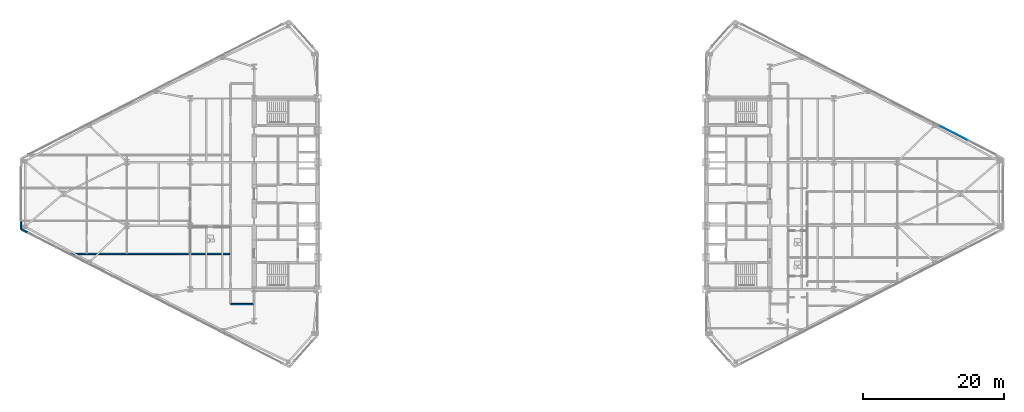
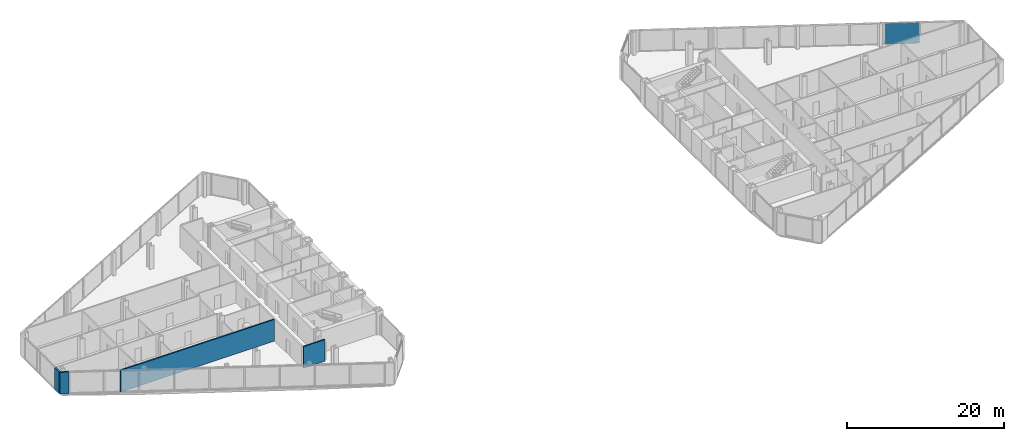
# One storey, part 15 of 23: 4 walls, 1 plate, 1 element without a shape of its own.
"""IFC4 building model written with IfcOpenShell, lengths in metres."""

from ifc_helpers import new_model, si_unit, direction, frame, frame_2d, origin, origin_2d, place, context, subcontext, project, spatial, rectangle, extrude, source, transform, mapped, material, layer, layer_set, type_object, type_shapes, element, aggregate, save


model = new_model("IFC4")

# Units and contexts
model_context = context("Model", 3, precision=1e-05, world=origin(), true_north=direction((0.0, 1.0)))
body_context = subcontext(model_context, "Body", "Model", "MODEL_VIEW")
ifc_project = project(units=[si_unit("LENGTHUNIT", "METRE"), si_unit("AREAUNIT", "SQUARE_METRE"), si_unit("VOLUMEUNIT", "CUBIC_METRE"), si_unit("PLANEANGLEUNIT", "RADIAN"), si_unit("MASSUNIT", "GRAM", prefix="KILO")], contexts=[model_context])

# Site, building, storey
site_placement = place(None, origin())
site = spatial("IfcSite", under=ifc_project, at=site_placement, CompositionType="ELEMENT")
building_placement = place(site_placement, origin())
building = spatial("IfcBuilding", under=site, at=building_placement, Name="Seokmaru Belvedere", CompositionType="ELEMENT")
storey_placement = place(building_placement, frame((0.0, 0.0, 128.39990234375)))
storey = spatial("IfcBuildingStorey", under=building, at=storey_placement, Name="L34", CompositionType="ELEMENT", Elevation=128.39990234375)

# Curtain wall, plate
ifc_material_1 = material(Name="Bronze Triple Insulating Glass", Category="glass")
ifc_layer_1 = layer(ifc_material_1, 0.195068359375)
ifc_layer_set_1 = layer_set([ifc_layer_1], Name="Bronze Triple Insulating Glass")
curtain_wall_type = type_object("IfcCurtainWallType", Name="Sky-Lobby and Mid-Rise Curtain Wall System CW-4", PredefinedType="NOTDEFINED", material=ifc_layer_set_1)
curtain_wall_placement = place(storey_placement, origin())
curtain_wall = element("IfcCurtainWall", 1, at=curtain_wall_placement, inside=storey, type_object=curtain_wall_type, Name="L34 Curtain Wall EF3", PredefinedType="NOTDEFINED")
ifc_layer_2 = layer(ifc_material_1, 0.035888671875)
ifc_layer_set_2 = layer_set([ifc_layer_2], Name="Bronze Triple Insulating Glass")
plate_type = type_object("IfcPlateType", Name="Bronze Triple Vision Glazing Panel 36", PredefinedType="CURTAIN_PANEL", material=ifc_layer_set_2)
shared_shape = source(origin(), body_context, "Body", "SweptSolid", [
    extrude(rectangle(XDim=4.420166015625, YDim=0.035888671875, at=origin_2d()), origin(), (0.0, 0.0, 1.0), 3.25),
])
type_shapes(plate_type, [shared_shape])
plate_placement = place(storey_placement, frame((62.484619140625, 8.60009765625, 0.065185546875), z_axis=(0.0, 0.0, 1.0), x_axis=(-0.889695432562, 0.456554528263, 0.0)))
plate = element("IfcPlate", 2, at=plate_placement, type_object=plate_type, Name="CW:L34:EF3 Glazing Panel 2-1", PredefinedType="CURTAIN_PANEL", context=body_context, shape_type="MappedRepresentation", body=[
    mapped(shared_shape, transform((0.0, 0.0, 0.0), scale=1.0)),
])
aggregate(curtain_wall, [plate])

# Walls
ifc_material_2 = material(Name="Fire-Rated Gypsum Shaftwall")
ifc_layer_3 = layer(ifc_material_2, 0.199951171875)
ifc_layer_set_3 = layer_set([ifc_layer_3], Name="Fire-Rated Gypsum Shaftwall")
wall_type_1 = type_object("IfcWallType", Name="Inter-Tenancy Fire Compartment Partition 200", PredefinedType="PARTITIONING", material=ifc_layer_set_3)
wall_1_placement = place(storey_placement, frame((-39.764892578125, -15.60009765625, 0.0), z_axis=(0.0, 0.0, 1.0), x_axis=(1.0, 0.0, 0.0)))
element("IfcWall", 3, at=wall_1_placement, inside=storey, type_object=wall_type_1, Name="L34 Interior Partition 003", PredefinedType="PARTITIONING", context=body_context, shape_type="SweptSolid", body=[
    extrude(rectangle(XDim=3.179931640625, YDim=0.199951171875, at=frame_2d((1.58984375, 0.0))), origin(), (0.0, 0.0, 1.0), 3.380126953125),
])
wall_2_placement = place(storey_placement, frame((-62.68994140625, -8.5, 0.0), z_axis=(0.0, 0.0, 1.0), x_axis=(1.0, 0.0, 0.0)))
element("IfcWall", 4, at=wall_2_placement, inside=storey, type_object=wall_type_1, Name="L34 Interior Partition 009", PredefinedType="PARTITIONING", context=body_context, shape_type="SweptSolid", body=[
    extrude(rectangle(XDim=22.760009765625, YDim=0.199951171875, at=frame_2d((11.3798828125, 0.0))), origin(), (0.0, 0.0, 1.0), 3.380126953125),
])
ifc_material_3 = material(Name="Anodised Bronze Aluminium", Category="aluminium")
ifc_layer_4 = layer(ifc_material_3, 0.239990234375)
ifc_layer_set_4 = layer_set([ifc_layer_4], Name="Anodised Bronze Aluminium")
wall_type_2 = type_object("IfcWallType", Name="Tower Corner Spandrel Closure Wall 240", PredefinedType="SOLIDWALL", material=ifc_layer_set_4)
wall_3_placement = place(storey_placement, frame((-69.5, -3.85009765625, 0.0), z_axis=(0.0, 0.0, 1.0), x_axis=(0.0, -1.0, 0.0)))
element("IfcWall", 5, at=wall_3_placement, inside=storey, type_object=wall_type_2, Name="L34 W Corner Closure Pier 4B", PredefinedType="SOLIDWALL", context=body_context, shape_type="SweptSolid", body=[
    extrude(rectangle(XDim=1.139892578125, YDim=0.239990234375, at=frame_2d((0.56982421875, 0.0))), origin(), (0.0, 0.0, 1.0), 3.380126953125),
])
wall_4_placement = place(storey_placement, frame((-69.4912109375, -5.004638671875, 0.0), z_axis=(0.0, 0.0, 1.0), x_axis=(0.889797395748, -0.456355776255, 0.0)))
element("IfcWall", 6, at=wall_4_placement, inside=storey, type_object=wall_type_2, Name="L34 W Corner Closure Pier 5A", PredefinedType="SOLIDWALL", context=body_context, shape_type="SweptSolid", body=[
    extrude(rectangle(XDim=1.14013671875, YDim=0.239990234375, at=frame_2d((0.570068359375, 0.0))), origin(), (0.0, 0.0, 1.0), 3.380126953125),
])

save(model, "model.ifc")
